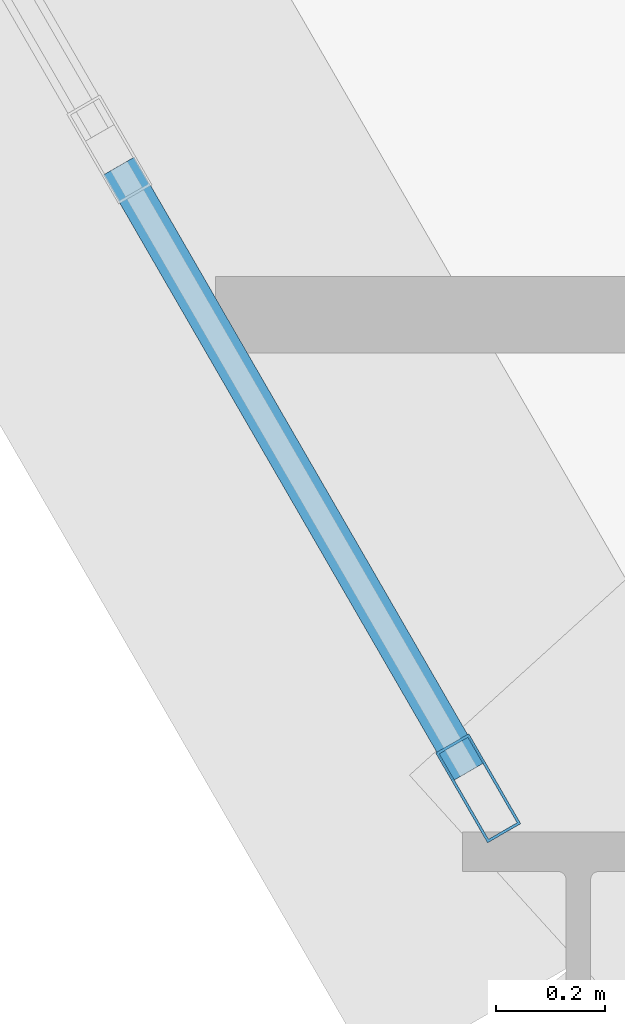
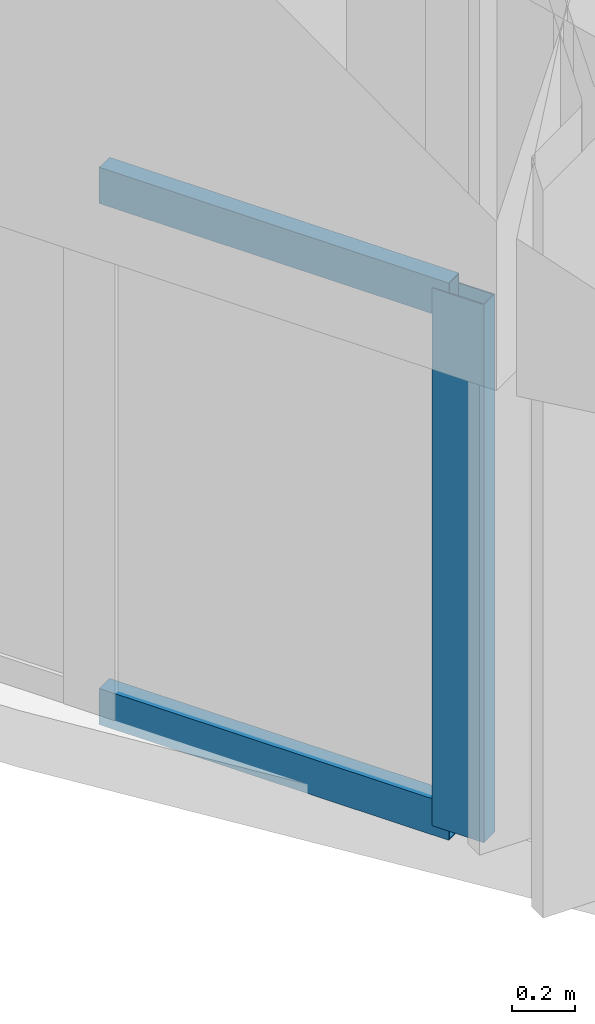
# One storey, part 2 of 20: 3 members, 1 element without a shape of its own.
"""IFC4 building model written with IfcOpenShell, lengths in metres."""

from ifc_helpers import new_model, si_unit, derived_unit, direction, frame, origin, origin_2d, place, context, subcontext, project, spatial, hollow_rectangle, extrude, source, transform, mapped, material, layer, layer_set, material_profile, profile_set, type_object, element, aggregate, save


model = new_model("IFC4")

# Units and contexts
model_context = context("Model", 3, precision=1e-05, world=origin(), true_north=direction((0.0, 1.0)))
body_context = subcontext(model_context, "Body", "Model", "MODEL_VIEW")
ifc_project = project(units=[si_unit("LENGTHUNIT", "METRE"), si_unit("AREAUNIT", "SQUARE_METRE"), si_unit("VOLUMEUNIT", "CUBIC_METRE"), si_unit("PLANEANGLEUNIT", "RADIAN"), si_unit("MASSUNIT", "GRAM", prefix="KILO"), derived_unit("THERMALTRANSMITTANCEUNIT", [(si_unit("POWERUNIT", "WATT"), 1), (si_unit("LENGTHUNIT", "METRE"), -2), (si_unit("THERMODYNAMICTEMPERATUREUNIT", "KELVIN"), -1)])], contexts=[model_context])

# Site, building, storey
site_placement = place(None, origin())
site = spatial("IfcSite", under=ifc_project, at=site_placement, CompositionType="ELEMENT")
building_placement = place(site_placement, origin())
building = spatial("IfcBuilding", under=site, at=building_placement, Name="Korsvarv Bourse and Concert Hall", CompositionType="ELEMENT")
storey_placement = place(building_placement, frame((0.0, 0.0, 35.699951171875)))
storey = spatial("IfcBuildingStorey", under=building, at=storey_placement, Name="L08", CompositionType="ELEMENT", Elevation=35.699951171875)

# Curtain wall, members
ifc_material_1 = material(Name="Anodised aluminium and triple low-E glazing", Category="glass")
ifc_layer = layer(ifc_material_1, 0.219970703125)
ifc_layer_set = layer_set([ifc_layer], Name="Anodised aluminium and triple low-E glazing")
curtain_wall_type = type_object("IfcCurtainWallType", Name="CW-SYS-1", PredefinedType="NOTDEFINED", material=ifc_layer_set)
curtain_wall_placement = place(storey_placement, origin())
curtain_wall = element("IfcCurtainWall", 1, at=curtain_wall_placement, inside=storey, type_object=curtain_wall_type, Name="L08 CW1 curtain wall CW-L08-F07", PredefinedType="NOTDEFINED")
ifc_material_2 = material(Name="Extruded aluminium EN AW-6063 T66", Category="aluminium")
ifc_material_profile_1 = material_profile(ifc_material_2, hollow_rectangle(XDim=0.070068359375, YDim=0.18994140625, WallThickness=0.0048828125, at=origin_2d()), Name="ALU-M 70x190")
ifc_profile_set_1 = profile_set([ifc_material_profile_1], Name="Extruded aluminium EN AW-6063 T66")
member_type_1 = type_object("IfcMemberType", Name="CWM-190", PredefinedType="MULLION", material=ifc_profile_set_1)
shared_shape_1 = source(origin(), body_context, "Body", "SweptSolid", [
    extrude(hollow_rectangle(XDim=0.070068359375, YDim=0.18994140625, WallThickness=0.0048828125, at=origin_2d()), origin(), (0.0, 0.0, 1.0), 2.080078125),
])
member_1_placement = place(storey_placement, frame((21.253173828125, 18.7392578125, 0.0), z_axis=(0.0, 0.0, 1.0), x_axis=(0.866025616828, 0.499999630998, 0.0)))
member_1 = element("IfcMember", 2, at=member_1_placement, type_object=member_type_1, Name="CW1 mullion 12", PredefinedType="MULLION", context=body_context, shape_type="MappedRepresentation", body=[
    mapped(shared_shape_1, transform((0.0, 0.0, 0.0), scale=1.0)),
])
ifc_material_profile_2 = material_profile(ifc_material_2, hollow_rectangle(XDim=0.06494140625, YDim=0.139892578125, WallThickness=0.00390625, at=origin_2d()), Name="ALU-T 65x140")
ifc_profile_set_2 = profile_set([ifc_material_profile_2], Name="Extruded aluminium EN AW-6063 T66")
member_type_2 = type_object("IfcMemberType", Name="CWT-140", PredefinedType="USERDEFINED", material=ifc_profile_set_2)
shared_shape_2 = source(origin(), body_context, "Body", "SweptSolid", [
    extrude(hollow_rectangle(XDim=0.06494140625, YDim=0.139892578125, WallThickness=0.00390625, at=origin_2d()), origin(), (0.0, 0.0, 1.0), 1.27880859375),
])
member_2_placement = place(storey_placement, frame((20.59619140625, 19.876953125, 0.032470703125), z_axis=(0.50001992892, -0.866013897511, 0.0), x_axis=(0.866013897511, 0.50001992892, 0.0)))
member_2 = element("IfcMember", 3, at=member_2_placement, type_object=member_type_2, Name="CW1 transom 11.1", ObjectType="TRANSOM", PredefinedType="USERDEFINED", context=body_context, shape_type="MappedRepresentation", body=[
    mapped(shared_shape_2, transform((0.0, 0.0, 0.0), scale=1.0)),
])
member_3_placement = place(storey_placement, frame((20.59619140625, 19.876953125, 2.047607421875), z_axis=(0.50001992892, -0.866013897511, 0.0), x_axis=(0.866013897511, 0.50001992892, 0.0)))
member_3 = element("IfcMember", 4, at=member_3_placement, type_object=member_type_2, Name="CW1 transom 11.2", ObjectType="TRANSOM", PredefinedType="USERDEFINED", context=body_context, shape_type="MappedRepresentation", body=[
    mapped(shared_shape_2, transform((0.0, 0.0, 0.0), scale=1.0)),
])
aggregate(curtain_wall, [member_1, member_2, member_3])

save(model, "model.ifc")
